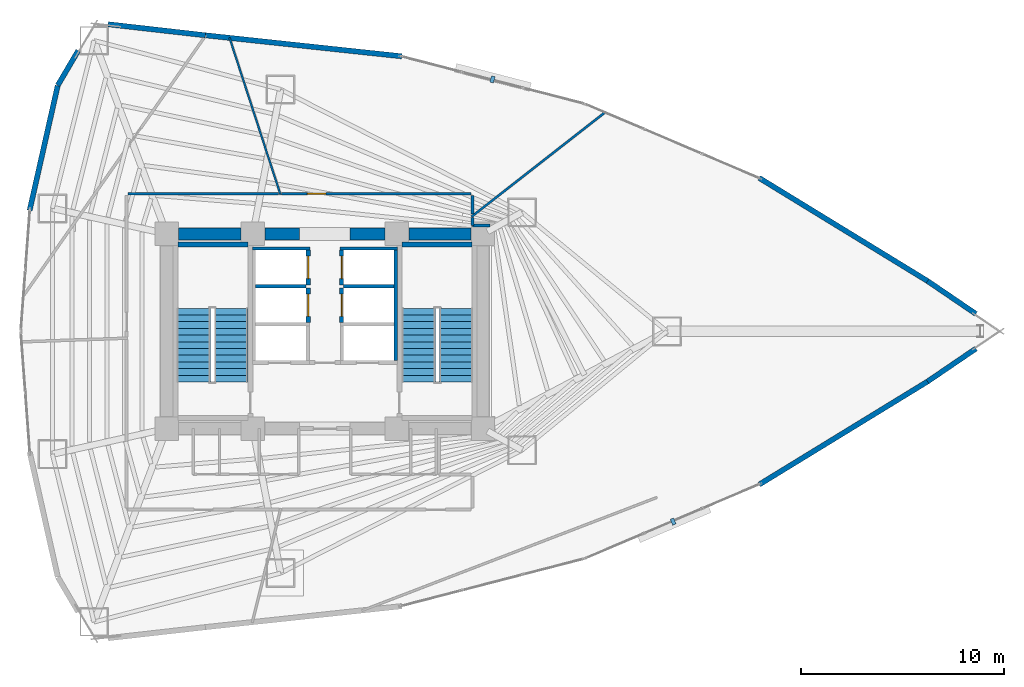
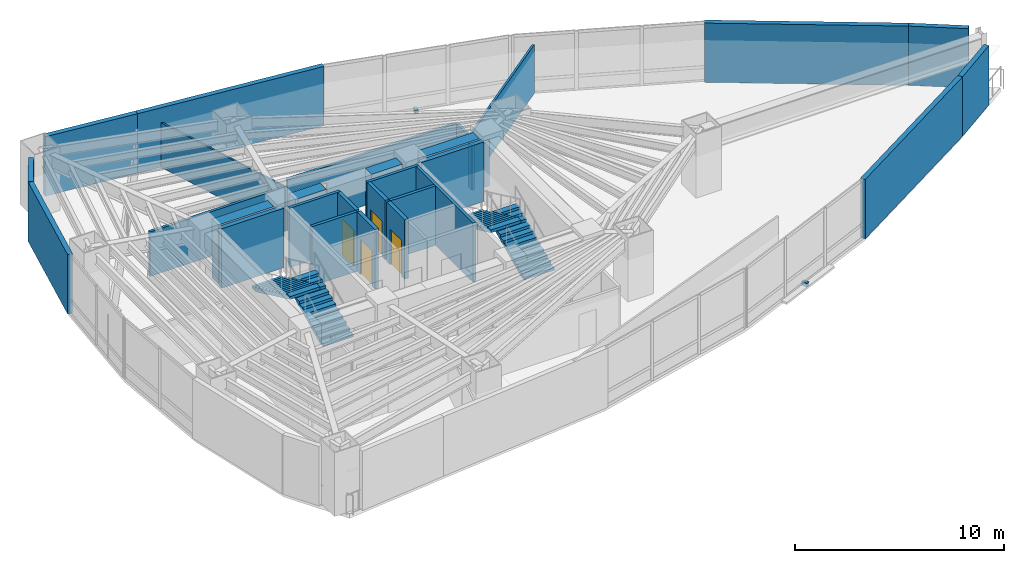
# One storey, part 16 of 20: 30 walls, 5 doors, 4 stair flights, 2 discrete accessories, 5 openings, 2 elements without a shape of their own.
"""IFC4 building model written with IfcOpenShell, lengths in metres."""

from ifc_helpers import new_model, si_unit, direction, frame, frame_2d, origin, origin_2d, place, context, subcontext, project, spatial, polyline, rectangle, outline, extrude, material, layer, layer_set, type_object, element, fill, aggregate, save


model = new_model("IFC4")

# Units and contexts
model_context = context("Model", 3, precision=1e-05, world=origin(), true_north=direction((0.0, 1.0)))
body_context = subcontext(model_context, "Body", "Model", "MODEL_VIEW")
ifc_project = project(units=[si_unit("LENGTHUNIT", "METRE"), si_unit("AREAUNIT", "SQUARE_METRE"), si_unit("VOLUMEUNIT", "CUBIC_METRE"), si_unit("PLANEANGLEUNIT", "RADIAN"), si_unit("MASSUNIT", "GRAM", prefix="KILO")], contexts=[model_context])

# Site, building, storey
site_placement = place(None, origin())
site = spatial("IfcSite", under=ifc_project, at=site_placement, CompositionType="ELEMENT")
building_placement = place(site_placement, origin())
building = spatial("IfcBuilding", under=site, at=building_placement, Name="Menara Vayukalpa", CompositionType="ELEMENT")
storey_placement = place(building_placement, frame((0.0, 0.0, 61.080078125)))
storey = spatial("IfcBuildingStorey", under=building, at=storey_placement, Name="L14", CompositionType="ELEMENT", Elevation=61.080078125)

# Walls
ifc_material_1 = material(Name="Concrete C70/85", Category="concrete")
ifc_layer_1 = layer(ifc_material_1, 0.60009765625)
ifc_layer_set_1 = layer_set([ifc_layer_1], Name="Concrete C70/85")
wall_type_1 = type_object("IfcWallType", Name="WAL-CW600", PredefinedType="SHEAR", material=ifc_layer_set_1)
wall_1_placement = place(storey_placement, frame((18.39501953125, 26.800048828125, 0.0), z_axis=(0.0, 0.0, 1.0), x_axis=(1.0, 0.0, 0.0)))
element("IfcWall", 1, at=wall_1_placement, inside=storey, type_object=wall_type_1, Name="L14 Buttressed Core Shear Wall CWN1", PredefinedType="SHEAR", context=body_context, shape_type="SweptSolid", body=[
    extrude(rectangle(XDim=3.06005859375, YDim=0.60009765625, at=frame_2d((1.530029296875, 0.0))), origin(), (0.0, 0.0, 1.0), 3.469970703125),
])
wall_2_placement = place(storey_placement, frame((22.64501953125, 26.800048828125, 0.0), z_axis=(0.0, 0.0, 1.0), x_axis=(1.0, 0.0, 0.0)))
element("IfcWall", 2, at=wall_2_placement, inside=storey, type_object=wall_type_1, Name="L14 Buttressed Core Shear Wall CWN2", PredefinedType="SHEAR", context=body_context, shape_type="SweptSolid", body=[
    extrude(rectangle(XDim=1.705078125, YDim=0.60009765625, at=frame_2d((0.8525390625, 0.0))), origin(), (0.0, 0.0, 1.0), 3.469970703125),
])
wall_3_placement = place(storey_placement, frame((26.85009765625, 26.800048828125, 0.0), z_axis=(0.0, 0.0, 1.0), x_axis=(1.0, 0.0, 0.0)))
element("IfcWall", 3, at=wall_3_placement, inside=storey, type_object=wall_type_1, Name="L14 Buttressed Core Shear Wall CWN3", PredefinedType="SHEAR", context=body_context, shape_type="SweptSolid", body=[
    extrude(rectangle(XDim=1.704833984375, YDim=0.60009765625, at=frame_2d((0.8525390625, 0.0))), origin(), (0.0, 0.0, 1.0), 3.469970703125),
])
wall_4_placement = place(storey_placement, frame((29.7451171875, 26.800048828125, 0.0), z_axis=(0.0, 0.0, 1.0), x_axis=(1.0, 0.0, 0.0)))
element("IfcWall", 4, at=wall_4_placement, inside=storey, type_object=wall_type_1, Name="L14 Buttressed Core Shear Wall CWN4", PredefinedType="SHEAR", context=body_context, shape_type="SweptSolid", body=[
    extrude(rectangle(XDim=3.059814453125, YDim=0.60009765625, at=frame_2d((1.52978515625, 0.0))), origin(), (0.0, 0.0, 1.0), 3.469970703125),
])
ifc_material_2 = material(Name="Insulated Precast Concrete C40/50", Category="concrete")
ifc_layer_2 = layer(ifc_material_2, 0.260009765625)
ifc_layer_set_2 = layer_set([ifc_layer_2], Name="Insulated Precast Concrete C40/50")
wall_type_2 = type_object("IfcWallType", Name="WAL-EXT260", PredefinedType="PARTITIONING", material=ifc_layer_set_2)
for number, where, z_axis, x_axis, name in (
    (5, (57.69921875, 21.143798828125, 0.0), (0.0, 0.0, 1.0), (-0.826683887239, -0.562666642498, 0.0), "L14 Perimeter Terracotta Pier Wall 01"),
    (6, (55.315673828125, 24.478515625, 0.0), (0.0, 0.0, 1.0), (0.826683887239, -0.562666642498, 0.0), "L14 Perimeter Terracotta Pier Wall 02"),
):
    element("IfcWall", number, at=place(storey_placement, frame(where, z_axis=z_axis, x_axis=x_axis)), inside=storey, type_object=wall_type_2, Name=name, PredefinedType="PARTITIONING", context=body_context, shape_type="SweptSolid", body=[
        extrude(rectangle(XDim=2.88330078125, YDim=0.260009765625, at=frame_2d((1.441650390625, 0.0))), origin(), (0.0, 0.0, 1.0), 3.469970703125),
    ])
wall_5_placement = place(storey_placement, frame((47.00390625, 29.56591796875, 0.0), z_axis=(0.0, 0.0, 1.0), x_axis=(0.852895644524, -0.522081430001, 0.0)))
element("IfcWall", 7, at=wall_5_placement, inside=storey, type_object=wall_type_2, Name="L14 Perimeter Terracotta Pier Wall 03", PredefinedType="PARTITIONING", context=body_context, shape_type="SweptSolid", body=[
    extrude(rectangle(XDim=9.757080078125, YDim=0.260009765625, at=frame_2d((4.87841796875, 0.0))), origin(), (0.0, 0.0, 1.0), 3.469970703125),
])
wall_6_placement = place(storey_placement, frame((19.69580078125, 36.5947265625, 0.0), z_axis=(0.0, 0.0, 1.0), x_axis=(0.994319088673, -0.106440358419, 0.0)))
element("IfcWall", 8, at=wall_6_placement, inside=storey, type_object=wall_type_2, Name="L14 Perimeter Terracotta Pier Wall 06", PredefinedType="PARTITIONING", context=body_context, shape_type="SweptSolid", body=[
    extrude(rectangle(XDim=9.75732421875, YDim=0.260009765625, at=frame_2d((4.878662109375, 0.0))), origin(), (0.0, 0.0, 1.0), 3.469970703125),
])
wall_7_placement = place(storey_placement, frame((14.909423828125, 37.1376953125, 0.0), z_axis=(0.0, 0.0, 1.0), x_axis=(0.993630237788, -0.112689620435, 0.0)))
element("IfcWall", 9, at=wall_7_placement, inside=storey, type_object=wall_type_2, Name="L14 Perimeter Terracotta Pier Wall 07", PredefinedType="PARTITIONING", context=body_context, shape_type="SweptSolid", body=[
    extrude(rectangle(XDim=4.8291015625, YDim=0.260009765625, at=frame_2d((2.41455078125, 0.0))), origin(), (0.0, 0.0, 1.0), 3.469970703125),
])
wall_8_placement = place(storey_placement, frame((12.43212890625, 34.126953125, 0.0), z_axis=(0.0, 0.0, 1.0), x_axis=(0.506772954594, 0.862079562739, 0.0)))
element("IfcWall", 10, at=wall_8_placement, inside=storey, type_object=wall_type_2, Name="L14 Perimeter Terracotta Pier Wall 08", PredefinedType="PARTITIONING", context=body_context, shape_type="SweptSolid", body=[
    extrude(rectangle(XDim=1.98583984375, YDim=0.260009765625, at=frame_2d((0.992919921875, 0.0))), origin(), (0.0, 0.0, 1.0), 3.469970703125),
])
wall_9_placement = place(storey_placement, frame((11.0400390625, 27.952392578125, 0.0), z_axis=(0.0, 0.0, 1.0), x_axis=(0.219505752381, 0.975611205692, 0.0)))
element("IfcWall", 11, at=wall_9_placement, inside=storey, type_object=wall_type_2, Name="L14 Perimeter Terracotta Pier Wall 09", PredefinedType="PARTITIONING", context=body_context, shape_type="SweptSolid", body=[
    extrude(rectangle(XDim=6.31201171875, YDim=0.260009765625, at=frame_2d((3.156005859375, 0.0))), origin(), (0.0, 0.0, 1.0), 3.469970703125),
])
wall_10_placement = place(storey_placement, frame((55.32568359375, 19.528076171875, 0.0), z_axis=(0.0, 0.0, 1.0), x_axis=(-0.852895644524, -0.522081430001, 0.0)))
element("IfcWall", 12, at=wall_10_placement, inside=storey, type_object=wall_type_2, Name="L14 Perimeter Terracotta Pier Wall 18", PredefinedType="PARTITIONING", context=body_context, shape_type="SweptSolid", body=[
    extrude(rectangle(XDim=9.757080078125, YDim=0.260009765625, at=frame_2d((4.87841796875, 0.0))), origin(), (0.0, 0.0, 1.0), 3.469970703125),
])
ifc_material_3 = material(Name="Lightweight Concrete Blockwork C16/20", Category="masonry")
ifc_layer_3 = layer(ifc_material_3, 0.159912109375)
ifc_layer_set_3 = layer_set([ifc_layer_3], Name="Lightweight Concrete Blockwork C16/20")
wall_type_3 = type_object("IfcWallType", Name="WAL-FR150", PredefinedType="PARTITIONING", material=ifc_layer_set_3)
wall_11_placement = place(storey_placement, frame((22.179931640625, 24.215087890625, 0.0), z_axis=(0.0, 0.0, 1.0), x_axis=(1.0, 0.0, 0.0)))
element("IfcWall", 13, at=wall_11_placement, inside=storey, type_object=wall_type_3, Name="L14 Interior Partition IW-L14-SHM-W23", PredefinedType="PARTITIONING", context=body_context, shape_type="SweptSolid", body=[
    extrude(rectangle(XDim=2.489990234375, YDim=0.159912109375, at=frame_2d((1.2451171875, 0.0))), origin(), (0.0, 0.0, 1.0), 3.469970703125),
])
wall_12_placement = place(storey_placement, frame((22.030029296875, 26.0849609375, 0.0), z_axis=(0.0, 0.0, 1.0), x_axis=(1.0, 0.0, 0.0)))
element("IfcWall", 14, at=wall_12_placement, inside=storey, type_object=wall_type_3, Name="L14 Interior Partition IW-L14-SHM-W3N", PredefinedType="PARTITIONING", context=body_context, shape_type="SweptSolid", body=[
    extrude(rectangle(XDim=2.830078125, YDim=0.159912109375, at=frame_2d((1.4150390625, 0.0))), origin(), (0.0, 0.0, 1.0), 3.469970703125),
])
wall_13_placement = place(storey_placement, frame((29.094970703125, 20.56005859375, 0.0), z_axis=(0.0, 0.0, 1.0), x_axis=(0.0, 1.0, 0.0)))
element("IfcWall", 15, at=wall_13_placement, inside=storey, type_object=wall_type_3, Name="L14 Interior Partition IW-L14-SHW-EE", PredefinedType="PARTITIONING", context=body_context, shape_type="SweptSolid", body=[
    extrude(rectangle(XDim=5.449951171875, YDim=0.159912109375, at=frame_2d((2.72509765625, 0.0))), origin(), (0.0, 0.0, 1.0), 3.469970703125),
])
wall_14_placement = place(storey_placement, frame((26.530029296875, 24.215087890625, 0.0), z_axis=(0.0, 0.0, 1.0), x_axis=(1.0, 0.0, 0.0)))
element("IfcWall", 16, at=wall_14_placement, inside=storey, type_object=wall_type_3, Name="L14 Interior Partition IW-L14-SHM-E32", PredefinedType="PARTITIONING", context=body_context, shape_type="SweptSolid", body=[
    extrude(rectangle(XDim=2.489990234375, YDim=0.159912109375, at=frame_2d((1.2451171875, 0.0))), origin(), (0.0, 0.0, 1.0), 3.469970703125),
])
wall_15_placement = place(storey_placement, frame((26.340087890625, 26.0849609375, 0.0), z_axis=(0.0, 0.0, 1.0), x_axis=(1.0, 0.0, 0.0)))
element("IfcWall", 17, at=wall_15_placement, inside=storey, type_object=wall_type_3, Name="L14 Interior Partition IW-L14-SHM-E2N", PredefinedType="PARTITIONING", context=body_context, shape_type="SweptSolid", body=[
    extrude(rectangle(XDim=2.829833984375, YDim=0.159912109375, at=frame_2d((1.4150390625, 0.0))), origin(), (0.0, 0.0, 1.0), 3.469970703125),
])

# Wall, opening, door
ifc_material_4 = material(Name="Lightweight Concrete Blockwork C16/20", Category="masonry")
ifc_layer_4 = layer(ifc_material_4, 0.199951171875)
ifc_layer_set_4 = layer_set([ifc_layer_4], Name="Lightweight Concrete Blockwork C16/20")
wall_type_4 = type_object("IfcWallType", Name="WAL-FR200", PredefinedType="PARTITIONING", material=ifc_layer_set_4)
wall_16_placement = place(storey_placement, frame((24.780029296875, 22.419921875, 0.0), z_axis=(0.0, 0.0, 1.0), x_axis=(0.0, 1.0, 0.0)))
wall_16 = element("IfcWall", 18, at=wall_16_placement, inside=storey, type_object=wall_type_4, Name="L14 Interior Partition IW-L14-SH-W2", PredefinedType="PARTITIONING", context=body_context, shape_type="SweptSolid", body=[
    extrude(rectangle(XDim=1.719970703125, YDim=0.199951171875, at=frame_2d((0.85986328125, 0.0))), origin(), (0.0, 0.0, 1.0), 3.469970703125),
])
opening_1_placement = place(wall_16_placement, frame((0.31005859375, 0.0, 0.0)))
opening_1 = element("IfcOpeningElement", 19, at=opening_1_placement, cuts=wall_16, Name="Opening LD1", PredefinedType="OPENING", context=body_context, shape_type="SweptSolid", body=[
    extrude(rectangle(XDim=1.10009765625, YDim=2.080078125, at=frame_2d((0.550048828125, 1.0400390625))), frame((0.0, 0.10986328125, 0.0), z_axis=(0.0, -1.0, 0.0), x_axis=(1.0, 0.0, 0.0)), (0.0, 0.0, 1.0), 0.219970703125),
])
ifc_material_5 = material(Name="Brushed Stainless Steel 316 Lift Door", Category="steel")
door_type_1 = type_object("IfcDoorType", Name="DR-LD110", OperationType="NOTDEFINED", PredefinedType="DOOR", material=ifc_material_5)
door_1_placement = place(opening_1_placement, origin())
door_1 = element("IfcDoor", 20, at=door_1_placement, inside=storey, type_object=door_type_1, Name="L14 Interior Door DR-L14-LD-W2", OperationType="DOUBLE_DOOR_SLIDING", OverallHeight=2.080078125, OverallWidth=1.10009765625, PredefinedType="DOOR", context=body_context, shape_type="SweptSolid", body=[
    extrude(rectangle(XDim=1.10009765625, YDim=2.080078125, at=frame_2d((0.550048828125, 1.0400390625))), frame((0.0, 0.02490234375, 0.0), z_axis=(0.0, -1.0, 0.0), x_axis=(1.0, 0.0, 0.0)), (0.0, 0.0, 1.0), 0.050048828125),
])
fill(opening_1, door_1)

wall_17_placement = place(storey_placement, frame((24.780029296875, 24.2900390625, 0.0), z_axis=(0.0, 0.0, 1.0), x_axis=(0.0, 1.0, 0.0)))
wall_17 = element("IfcWall", 21, at=wall_17_placement, inside=storey, type_object=wall_type_4, Name="L14 Interior Partition IW-L14-SH-W3", PredefinedType="PARTITIONING", context=body_context, shape_type="SweptSolid", body=[
    extrude(rectangle(XDim=1.719970703125, YDim=0.199951171875, at=frame_2d((0.85986328125, 0.0))), origin(), (0.0, 0.0, 1.0), 3.469970703125),
])
opening_2_placement = place(wall_17_placement, frame((0.31005859375, 0.0, 0.0)))
opening_2 = element("IfcOpeningElement", 22, at=opening_2_placement, cuts=wall_17, Name="Opening LD1", PredefinedType="OPENING", context=body_context, shape_type="SweptSolid", body=[
    extrude(rectangle(XDim=1.10009765625, YDim=2.080078125, at=frame_2d((0.550048828125, 1.0400390625))), frame((0.0, 0.10986328125, 0.0), z_axis=(0.0, -1.0, 0.0), x_axis=(1.0, 0.0, 0.0)), (0.0, 0.0, 1.0), 0.219970703125),
])
door_2_placement = place(opening_2_placement, origin())
door_2 = element("IfcDoor", 23, at=door_2_placement, inside=storey, type_object=door_type_1, Name="L14 Interior Door DR-L14-LD-W3", OperationType="DOUBLE_DOOR_SLIDING", OverallHeight=2.080078125, OverallWidth=1.10009765625, PredefinedType="DOOR", context=body_context, shape_type="SweptSolid", body=[
    extrude(rectangle(XDim=1.10009765625, YDim=2.080078125, at=frame_2d((0.550048828125, 1.0400390625))), frame((0.0, 0.02490234375, 0.0), z_axis=(0.0, -1.0, 0.0), x_axis=(1.0, 0.0, 0.0)), (0.0, 0.0, 1.0), 0.050048828125),
])
fill(opening_2, door_2)

wall_18_placement = place(storey_placement, frame((26.419921875, 22.419921875, 0.0), z_axis=(0.0, 0.0, 1.0), x_axis=(0.0, 1.0, 0.0)))
wall_18 = element("IfcWall", 24, at=wall_18_placement, inside=storey, type_object=wall_type_4, Name="L14 Interior Partition IW-L14-SH-E3", PredefinedType="PARTITIONING", context=body_context, shape_type="SweptSolid", body=[
    extrude(rectangle(XDim=1.719970703125, YDim=0.199951171875, at=frame_2d((0.85986328125, 0.0))), origin(), (0.0, 0.0, 1.0), 3.469970703125),
])
opening_3_placement = place(wall_18_placement, frame((0.31005859375, 0.0, 0.0)))
opening_3 = element("IfcOpeningElement", 25, at=opening_3_placement, cuts=wall_18, Name="Opening LD1", PredefinedType="OPENING", context=body_context, shape_type="SweptSolid", body=[
    extrude(rectangle(XDim=1.10009765625, YDim=2.080078125, at=frame_2d((0.550048828125, 1.0400390625))), frame((0.0, 0.10986328125, 0.0), z_axis=(0.0, -1.0, 0.0), x_axis=(1.0, 0.0, 0.0)), (0.0, 0.0, 1.0), 0.219970703125),
])
door_3_placement = place(opening_3_placement, origin())
door_3 = element("IfcDoor", 26, at=door_3_placement, inside=storey, type_object=door_type_1, Name="L14 Interior Door DR-L14-LD-E3", OperationType="DOUBLE_DOOR_SLIDING", OverallHeight=2.080078125, OverallWidth=1.10009765625, PredefinedType="DOOR", context=body_context, shape_type="SweptSolid", body=[
    extrude(rectangle(XDim=1.10009765625, YDim=2.080078125, at=frame_2d((0.550048828125, 1.0400390625))), frame((0.0, 0.02490234375, 0.0), z_axis=(0.0, -1.0, 0.0), x_axis=(1.0, 0.0, 0.0)), (0.0, 0.0, 1.0), 0.050048828125),
])
fill(opening_3, door_3)

wall_19_placement = place(storey_placement, frame((26.419921875, 24.2900390625, 0.0), z_axis=(0.0, 0.0, 1.0), x_axis=(0.0, 1.0, 0.0)))
wall_19 = element("IfcWall", 27, at=wall_19_placement, inside=storey, type_object=wall_type_4, Name="L14 Interior Partition IW-L14-SH-E2", PredefinedType="PARTITIONING", context=body_context, shape_type="SweptSolid", body=[
    extrude(rectangle(XDim=1.719970703125, YDim=0.199951171875, at=frame_2d((0.85986328125, 0.0))), origin(), (0.0, 0.0, 1.0), 3.469970703125),
])
opening_4_placement = place(wall_19_placement, frame((0.31005859375, 0.0, 0.0)))
opening_4 = element("IfcOpeningElement", 28, at=opening_4_placement, cuts=wall_19, Name="Opening LD1", PredefinedType="OPENING", context=body_context, shape_type="SweptSolid", body=[
    extrude(rectangle(XDim=1.10009765625, YDim=2.080078125, at=frame_2d((0.550048828125, 1.0400390625))), frame((0.0, 0.10986328125, 0.0), z_axis=(0.0, -1.0, 0.0), x_axis=(1.0, 0.0, 0.0)), (0.0, 0.0, 1.0), 0.219970703125),
])
door_4_placement = place(opening_4_placement, origin())
door_4 = element("IfcDoor", 29, at=door_4_placement, inside=storey, type_object=door_type_1, Name="L14 Interior Door DR-L14-LD-E2", OperationType="DOUBLE_DOOR_SLIDING", OverallHeight=2.080078125, OverallWidth=1.10009765625, PredefinedType="DOOR", context=body_context, shape_type="SweptSolid", body=[
    extrude(rectangle(XDim=1.10009765625, YDim=2.080078125, at=frame_2d((0.550048828125, 1.0400390625))), frame((0.0, 0.02490234375, 0.0), z_axis=(0.0, -1.0, 0.0), x_axis=(1.0, 0.0, 0.0)), (0.0, 0.0, 1.0), 0.050048828125),
])
fill(opening_4, door_4)

# Walls
ifc_material_6 = material(Name="Glazed Demountable Office Partition", Category="glass")
ifc_layer_5 = layer(ifc_material_6, 0.094970703125)
ifc_layer_set_5 = layer_set([ifc_layer_5], Name="Glazed Demountable Office Partition")
wall_type_5 = type_object("IfcWallType", Name="WAL-PT100", PredefinedType="PARTITIONING", material=ifc_layer_set_5)
wall_20_placement = place(storey_placement, frame((23.413330078125, 28.72998046875, 0.0), z_axis=(0.0, 0.0, 1.0), x_axis=(-0.309033883912, 0.951051028386, 0.0)))
element("IfcWall", 30, at=wall_20_placement, inside=storey, type_object=wall_type_5, Name="L14 Interior Partition IW-L14-RDIV02", PredefinedType="PARTITIONING", context=body_context, shape_type="SweptSolid", body=[
    extrude(rectangle(XDim=8.14501953125, YDim=0.094970703125, at=frame_2d((4.072509765625, 0.0))), origin(), (0.0, 0.0, 1.0), 2.599853515625),
])
ifc_material_7 = material(Name="Acoustic Mineral Stud Partition", Category="masonry")
ifc_layer_6 = layer(ifc_material_7, 0.110107421875)
ifc_layer_set_6 = layer_set([ifc_layer_6], Name="Acoustic Mineral Stud Partition")
wall_type_6 = type_object("IfcWallType", Name="WAL-PT110", PredefinedType="PARTITIONING", material=ifc_layer_set_6)
wall_21_placement = place(storey_placement, frame((32.830078125, 27.648681640625, 0.0), z_axis=(0.0, 0.0, 1.0), x_axis=(0.78800045327, 0.615674658928, 0.0)))
element("IfcWall", 31, at=wall_21_placement, inside=storey, type_object=wall_type_6, Name="L14 Interior Partition IW-L14-RDIV01", PredefinedType="PARTITIONING", context=body_context, shape_type="SweptSolid", body=[
    extrude(rectangle(XDim=8.35595703125, YDim=0.110107421875, at=frame_2d((4.177978515625, 0.0))), origin(), (0.0, 0.0, 1.0), 2.849853515625),
])
ifc_material_8 = material(Name="Gypsum Drywall Acoustic Stud Assembly", Category="masonry")
ifc_layer_7 = layer(ifc_material_8, 0.14501953125)
ifc_layer_set_7 = layer_set([ifc_layer_7], Name="Gypsum Drywall Acoustic Stud Assembly")
wall_type_7 = type_object("IfcWallType", Name="WAL-PT150", PredefinedType="PARTITIONING", material=ifc_layer_set_7)
wall_22_placement = place(storey_placement, frame((33.739990234375, 27.219970703125, 0.0), z_axis=(0.0, 0.0, 1.0), x_axis=(-1.0, 0.0, 0.0)))
element("IfcWall", 32, at=wall_22_placement, inside=storey, type_object=wall_type_7, Name="L14 Interior Partition IW-L14-CRM03-5", PredefinedType="PARTITIONING", context=body_context, shape_type="SweptSolid", body=[
    extrude(rectangle(XDim=0.860107421875, YDim=0.14501953125, at=frame_2d((0.43017578125, 0.0))), origin(), (0.0, 0.0, 1.0), 2.599853515625),
])
wall_23_placement = place(storey_placement, frame((32.8798828125, 27.219970703125, 0.0), z_axis=(0.0, 0.0, 1.0), x_axis=(0.0, 1.0, 0.0)))
element("IfcWall", 33, at=wall_23_placement, inside=storey, type_object=wall_type_7, Name="L14 Interior Partition IW-L14-CRM03-6", PredefinedType="PARTITIONING", context=body_context, shape_type="SweptSolid", body=[
    extrude(rectangle(XDim=0.37890625, YDim=0.14501953125, at=frame_2d((0.189453125, 0.0))), origin(), (0.0, 0.0, 1.0), 2.599853515625),
])
wall_24_placement = place(storey_placement, frame((32.8798828125, 27.776611328125, 0.0), z_axis=(0.0, 0.0, 1.0), x_axis=(0.0, 1.0, 0.0)))
element("IfcWall", 34, at=wall_24_placement, inside=storey, type_object=wall_type_7, Name="L14 Interior Partition IW-L14-CRM04-1", PredefinedType="PARTITIONING", context=body_context, shape_type="SweptSolid", body=[
    extrude(rectangle(XDim=0.92333984375, YDim=0.14501953125, at=frame_2d((0.461669921875, 0.0))), origin(), (0.0, 0.0, 1.0), 3.0),
])

# Wall, opening, door
wall_25_placement = place(storey_placement, frame((32.800048828125, 28.780029296875, 0.0), z_axis=(0.0, 0.0, 1.0), x_axis=(-1.0, 0.0, 0.0)))
wall_25 = element("IfcWall", 35, at=wall_25_placement, inside=storey, type_object=wall_type_7, Name="L14 Interior Partition IW-L14-CRM04-2", PredefinedType="PARTITIONING", context=body_context, shape_type="SweptSolid", body=[
    extrude(rectangle(XDim=9.329345703125, YDim=0.14501953125, at=frame_2d((4.66455078125, 0.0))), origin(), (0.0, 0.0, 1.0), 3.0),
])
opening_5_placement = place(wall_25_placement, frame((7.148193359375, 0.0, 0.0)))
opening_5 = element("IfcOpeningElement", 36, at=opening_5_placement, cuts=wall_25, Name="Opening ID6", PredefinedType="OPENING", context=body_context, shape_type="SweptSolid", body=[
    extrude(rectangle(XDim=0.919921875, YDim=2.050048828125, at=frame_2d((0.4599609375, 1.02490234375))), frame((0.0, 0.08251953125, 0.0), z_axis=(0.0, -1.0, 0.0), x_axis=(1.0, 0.0, 0.0)), (0.0, 0.0, 1.0), 0.1650390625),
])
ifc_material_9 = material(Name="Acoustic Hardwood Veneer Timber Door", Category="wood")
door_type_2 = type_object("IfcDoorType", Name="DR-INT92", OperationType="NOTDEFINED", PredefinedType="DOOR", material=ifc_material_9)
door_5_placement = place(opening_5_placement, origin())
door_5 = element("IfcDoor", 37, at=door_5_placement, inside=storey, type_object=door_type_2, Name="L14 Interior Door DR-L14-RM04", OperationType="SINGLE_SWING_LEFT", OverallHeight=2.050048828125, OverallWidth=0.919921875, PredefinedType="DOOR", context=body_context, shape_type="SweptSolid", body=[
    extrude(rectangle(XDim=0.919921875, YDim=2.050048828125, at=frame_2d((0.4599609375, 1.02490234375))), frame((0.0, 0.02490234375, 0.0), z_axis=(0.0, -1.0, 0.0), x_axis=(1.0, 0.0, 0.0)), (0.0, 0.0, 1.0), 0.050048828125),
])
fill(opening_5, door_5)

# Walls
wall_26_placement = place(storey_placement, frame((23.323486328125, 28.780029296875, 0.0), z_axis=(0.0, 0.0, 1.0), x_axis=(-1.0, 0.0, 0.0)))
element("IfcWall", 38, at=wall_26_placement, inside=storey, type_object=wall_type_7, Name="L14 Interior Partition IW-L14-CRM06-1", PredefinedType="PARTITIONING", context=body_context, shape_type="SweptSolid", body=[
    extrude(rectangle(XDim=7.423583984375, YDim=0.14501953125, at=frame_2d((3.7119140625, 0.0))), origin(), (0.0, 0.0, 1.0), 2.599853515625),
])
ifc_material_10 = material(Name="Concrete C50/60", Category="concrete")
ifc_layer_8 = layer(ifc_material_10, 0.25)
ifc_layer_set_8 = layer_set([ifc_layer_8], Name="Concrete C50/60")
wall_type_8 = type_object("IfcWallType", Name="WAL-SW250", PredefinedType="SHEAR", material=ifc_layer_set_8)
for number, where, z_axis, x_axis, name in (
    (39, (18.35400390625, 26.27490234375, 0.0), (0.0, 0.0, 1.0), (1.0, 0.0, 0.0), "L14 ST1 Structural Stair Shaft Wall N"),
    (40, (29.39990234375, 26.27490234375, 0.0), (0.0, 0.0, 1.0), (1.0, 0.0, 0.0), "L14 ST2 Structural Stair Shaft Wall N"),
):
    element("IfcWall", number, at=place(storey_placement, frame(where, z_axis=z_axis, x_axis=x_axis)), inside=storey, type_object=wall_type_8, Name=name, PredefinedType="SHEAR", context=body_context, shape_type="SweptSolid", body=[
        extrude(rectangle(XDim=3.446044921875, YDim=0.25, at=frame_2d((1.72314453125, 0.0))), origin(), (0.0, 0.0, 1.0), 3.469970703125),
    ])

# Stair, stair flights
ifc_material_11 = material(Name="Precast Concrete C40/50", Category="concrete")
stair_type = type_object("IfcStairType", Name="STR-T04", PredefinedType="DOUBLE_RETURN_STAIR", material=ifc_material_11)
stair_1_placement = place(storey_placement, origin())
stair_1 = element("IfcStair", 41, at=stair_1_placement, inside=storey, type_object=stair_type, Name="L14 Core Exit Stair ST-1", PredefinedType="DOUBLE_RETURN_STAIR")
ifc_material_12 = material(Name="Precast Concrete C40/50", Category="concrete")
stair_flight_type = type_object("IfcStairFlightType", Name="STF-T04", PredefinedType="STRAIGHT", material=ifc_material_12)
stair_flight_1_placement = place(storey_placement, frame((20.97509765625, 19.5, 0.0), z_axis=(0.0, 0.0, 1.0), x_axis=(0.0, 1.0, 0.0)))
stair_flight_1 = element("IfcStairFlight", 42, at=stair_flight_1_placement, type_object=stair_flight_type, Name="ST-1 flight 1", NumberOfRisers=12, NumberOfTreads=11, PredefinedType="STRAIGHT", RiserHeight=0.155, TreadLength=0.33, context=body_context, shape_type="SweptSolid", body=[
    extrude(outline(polyline([(0.0, 0.0), (0.0, 0.155029296875), (0.330078125, 0.155029296875), (0.330078125, 0.31005859375), (0.659912109375, 0.31005859375), (0.659912109375, 0.465087890625), (0.989990234375, 0.465087890625), (0.989990234375, 0.6201171875), (1.320068359375, 0.6201171875), (1.320068359375, 0.77490234375), (1.64990234375, 0.77490234375), (1.64990234375, 0.929931640625), (1.97998046875, 0.929931640625), (1.97998046875, 1.0849609375), (2.31005859375, 1.0849609375), (2.31005859375, 1.239990234375), (2.639892578125, 1.239990234375), (2.639892578125, 1.39501953125), (2.969970703125, 1.39501953125), (2.969970703125, 1.550048828125), (3.300048828125, 1.550048828125), (3.300048828125, 1.705078125), (3.6298828125, 1.705078125), (3.6298828125, 1.860107421875), (3.6298828125, 1.539306640625), (0.3525390625, 0.0), (0.0, 0.0)])), frame((0.0, 0.824951171875, 0.0), z_axis=(0.0, -1.0, 0.0), x_axis=(1.0, 0.0, 0.0)), (0.0, 0.0, 1.0), 1.64990234375),
])
stair_flight_2_placement = place(storey_placement, frame((19.125, 23.1298828125, 1.85986328125), z_axis=(0.0, 0.0, 1.0), x_axis=(0.0, -1.0, 0.0)))
stair_flight_2 = element("IfcStairFlight", 43, at=stair_flight_2_placement, type_object=stair_flight_type, Name="ST-1 flight 2", NumberOfRisers=12, NumberOfTreads=11, PredefinedType="STRAIGHT", RiserHeight=0.155, TreadLength=0.33, context=body_context, shape_type="SweptSolid", body=[
    extrude(outline(polyline([(0.0, 0.0), (0.0, 0.155029296875), (0.330078125, 0.155029296875), (0.330078125, 0.31005859375), (0.659912109375, 0.31005859375), (0.659912109375, 0.465087890625), (0.989990234375, 0.465087890625), (0.989990234375, 0.6201171875), (1.320068359375, 0.6201171875), (1.320068359375, 0.77490234375), (1.64990234375, 0.77490234375), (1.64990234375, 0.929931640625), (1.97998046875, 0.929931640625), (1.97998046875, 1.0849609375), (2.31005859375, 1.0849609375), (2.31005859375, 1.239990234375), (2.639892578125, 1.239990234375), (2.639892578125, 1.39501953125), (2.969970703125, 1.39501953125), (2.969970703125, 1.550048828125), (3.300048828125, 1.550048828125), (3.300048828125, 1.705078125), (3.6298828125, 1.705078125), (3.6298828125, 1.860107421875), (3.6298828125, 1.539306640625), (0.3525390625, 0.0), (0.0, 0.0)])), frame((0.0, 0.824951171875, 0.0), z_axis=(0.0, -1.0, 0.0), x_axis=(1.0, 0.0, 0.0)), (0.0, 0.0, 1.0), 1.64990234375),
])
aggregate(stair_1, [stair_flight_1, stair_flight_2])

stair_2_placement = place(storey_placement, origin())
stair_2 = element("IfcStair", 44, at=stair_2_placement, inside=storey, type_object=stair_type, Name="L14 Core Exit Stair ST-2", PredefinedType="DOUBLE_RETURN_STAIR")
stair_flight_3_placement = place(storey_placement, frame((32.074951171875, 19.5, 0.0), z_axis=(0.0, 0.0, 1.0), x_axis=(0.0, 1.0, 0.0)))
stair_flight_3 = element("IfcStairFlight", 45, at=stair_flight_3_placement, type_object=stair_flight_type, Name="ST-2 flight 1", NumberOfRisers=12, NumberOfTreads=11, PredefinedType="STRAIGHT", RiserHeight=0.155, TreadLength=0.33, context=body_context, shape_type="SweptSolid", body=[
    extrude(outline(polyline([(0.0, 0.0), (0.0, 0.155029296875), (0.330078125, 0.155029296875), (0.330078125, 0.31005859375), (0.659912109375, 0.31005859375), (0.659912109375, 0.465087890625), (0.989990234375, 0.465087890625), (0.989990234375, 0.6201171875), (1.320068359375, 0.6201171875), (1.320068359375, 0.77490234375), (1.64990234375, 0.77490234375), (1.64990234375, 0.929931640625), (1.97998046875, 0.929931640625), (1.97998046875, 1.0849609375), (2.31005859375, 1.0849609375), (2.31005859375, 1.239990234375), (2.639892578125, 1.239990234375), (2.639892578125, 1.39501953125), (2.969970703125, 1.39501953125), (2.969970703125, 1.550048828125), (3.300048828125, 1.550048828125), (3.300048828125, 1.705078125), (3.6298828125, 1.705078125), (3.6298828125, 1.860107421875), (3.6298828125, 1.539306640625), (0.3525390625, 0.0), (0.0, 0.0)])), frame((0.0, 0.824951171875, 0.0), z_axis=(0.0, -1.0, 0.0), x_axis=(1.0, 0.0, 0.0)), (0.0, 0.0, 1.0), 1.64990234375),
])
stair_flight_4_placement = place(storey_placement, frame((30.22509765625, 23.1298828125, 1.85986328125), z_axis=(0.0, 0.0, 1.0), x_axis=(0.0, -1.0, 0.0)))
stair_flight_4 = element("IfcStairFlight", 46, at=stair_flight_4_placement, type_object=stair_flight_type, Name="ST-2 flight 2", NumberOfRisers=12, NumberOfTreads=11, PredefinedType="STRAIGHT", RiserHeight=0.155, TreadLength=0.33, context=body_context, shape_type="SweptSolid", body=[
    extrude(outline(polyline([(0.0, 0.0), (0.0, 0.155029296875), (0.330078125, 0.155029296875), (0.330078125, 0.31005859375), (0.659912109375, 0.31005859375), (0.659912109375, 0.465087890625), (0.989990234375, 0.465087890625), (0.989990234375, 0.6201171875), (1.320068359375, 0.6201171875), (1.320068359375, 0.77490234375), (1.64990234375, 0.77490234375), (1.64990234375, 0.929931640625), (1.97998046875, 0.929931640625), (1.97998046875, 1.0849609375), (2.31005859375, 1.0849609375), (2.31005859375, 1.239990234375), (2.639892578125, 1.239990234375), (2.639892578125, 1.39501953125), (2.969970703125, 1.39501953125), (2.969970703125, 1.550048828125), (3.300048828125, 1.550048828125), (3.300048828125, 1.705078125), (3.6298828125, 1.705078125), (3.6298828125, 1.860107421875), (3.6298828125, 1.539306640625), (0.3525390625, 0.0), (0.0, 0.0)])), frame((0.0, 0.824951171875, 0.0), z_axis=(0.0, -1.0, 0.0), x_axis=(1.0, 0.0, 0.0)), (0.0, 0.0, 1.0), 1.64990234375),
])
aggregate(stair_2, [stair_flight_3, stair_flight_4])

# Discrete accessories
ifc_material_13 = material(Name="Stainless Steel 316 Sunshade Bracket", Category="steel")
discrete_accessory_type = type_object("IfcDiscreteAccessoryType", Name="ACC-BRK1", PredefinedType="BRACKET", material=ifc_material_13)
for number, where, z_axis, x_axis, name in (
    (47, (33.86181640625, 34.416015625, -0.16015625), (0.0, 0.0, 1.0), (-0.968143270275, 0.25039690138, 0.0), "L14 Terracotta Sunshade Bracket 05"),
    (48, (42.7705078125, 12.615234375, -0.16015625), (0.0, 0.0, 1.0), (0.919958392769, 0.392016014434, 0.0), "L14 Terracotta Sunshade Bracket 17"),
):
    element("IfcDiscreteAccessory", number, at=place(storey_placement, frame(where, z_axis=z_axis, x_axis=x_axis)), inside=storey, type_object=discrete_accessory_type, Name=name, PredefinedType="BRACKET", context=body_context, shape_type="SweptSolid", body=[
        extrude(rectangle(XDim=0.179931640625, YDim=0.320068359375, at=origin_2d()), origin(), (0.0, 0.0, 1.0), 0.219970703125),
    ])

save(model, "model.ifc")
